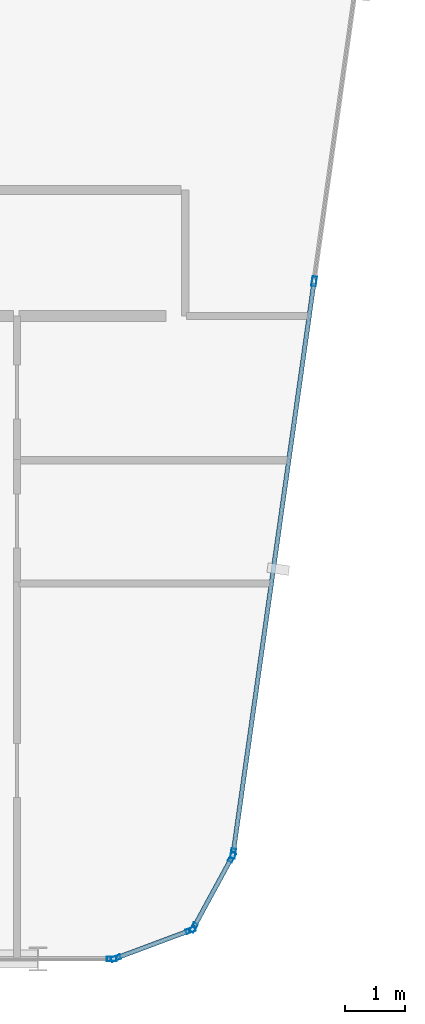
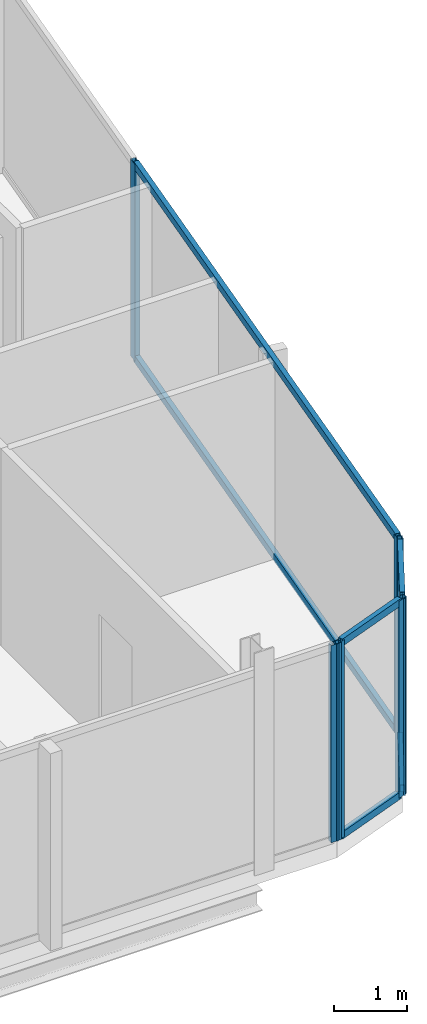
# One storey, part 12 of 27: 13 members, 4 elements without a shape of their own.
"""IFC4 building model written with IfcOpenShell, lengths in metres."""

from ifc_helpers import new_model, si_unit, direction, frame, origin, origin_2d, place, context, subcontext, project, spatial, hollow_rectangle, extrude, material, layer, layer_set, material_profile, profile_set, type_object, element, aggregate, save


model = new_model("IFC4")

# Units and contexts
model_context = context("Model", 3, precision=1e-05, world=origin(), true_north=direction((0.0, 1.0)))
body_context = subcontext(model_context, "Body", "Model", "MODEL_VIEW")
ifc_project = project(units=[si_unit("LENGTHUNIT", "METRE"), si_unit("AREAUNIT", "SQUARE_METRE"), si_unit("VOLUMEUNIT", "CUBIC_METRE"), si_unit("PLANEANGLEUNIT", "RADIAN"), si_unit("MASSUNIT", "GRAM", prefix="KILO")], contexts=[model_context])

# Site, building, storey
site_placement = place(None, origin())
site = spatial("IfcSite", under=ifc_project, at=site_placement, CompositionType="ELEMENT")
building_placement = place(site_placement, origin())
building = spatial("IfcBuilding", under=site, at=building_placement, Name="Keshet Zoharim Tower", CompositionType="ELEMENT")
storey_placement = place(building_placement, frame((0.0, 0.0, 311.0)))
storey = spatial("IfcBuildingStorey", under=building, at=storey_placement, Name="L78", CompositionType="ELEMENT", Elevation=311.0)

# Curtain wall, members
ifc_material = material(Name="Aluminium 6063-T6", Category="aluminium")
ifc_layer = layer(ifc_material, 0.260009765625)
ifc_layer_set = layer_set([ifc_layer], Name="Aluminium 6063-T6")
curtain_wall_type = type_object("IfcCurtainWallType", Name="CW-SYS-06", PredefinedType="NOTDEFINED", material=ifc_layer_set)
curtain_wall_1_placement = place(storey_placement, origin())
curtain_wall_1 = element("IfcCurtainWall", 1, at=curtain_wall_1_placement, inside=storey, type_object=curtain_wall_type, Name="L78 Unitised Curtain Wall 11", PredefinedType="NOTDEFINED")
ifc_material_profile_1 = material_profile(ifc_material, hollow_rectangle(XDim=0.074951171875, YDim=0.159912109375, WallThickness=0.00390625, at=origin_2d()), Name="MUL-75x160")
ifc_profile_set_1 = profile_set([ifc_material_profile_1], Name="Aluminium 6063-T6")
member_type_1 = type_object("IfcMemberType", Name="CWM-M15", PredefinedType="MULLION", material=ifc_profile_set_1)
member_1_placement = place(storey_placement, frame((43.595458984375, 17.97607421875, 0.0), z_axis=(0.0, 0.0, 1.0), x_axis=(0.990132057422, -0.140137464177, 0.0)))
member_1 = element("IfcMember", 2, at=member_1_placement, type_object=member_type_1, Name="CW-06 mullion 2", PredefinedType="MULLION", context=body_context, shape_type="SweptSolid", body=[
    extrude(hollow_rectangle(XDim=0.074951171875, YDim=0.159912109375, WallThickness=0.00390625, at=origin_2d()), origin(), (0.0, 0.0, 1.0), 3.280029296875),
])
member_2_placement = place(storey_placement, frame((42.247802734375, 8.45458984375, 0.0), z_axis=(0.0, 0.0, 1.0), x_axis=(0.990132057422, -0.140137464177, 0.0)))
member_2 = element("IfcMember", 3, at=member_2_placement, type_object=member_type_1, Name="CW-06 mullion 3", PredefinedType="MULLION", context=body_context, shape_type="SweptSolid", body=[
    extrude(hollow_rectangle(XDim=0.074951171875, YDim=0.159912109375, WallThickness=0.00390625, at=origin_2d()), origin(), (0.0, 0.0, 1.0), 3.280029296875),
])

curtain_wall_2_placement = place(storey_placement, origin())
curtain_wall_2 = element("IfcCurtainWall", 4, at=curtain_wall_2_placement, inside=storey, type_object=curtain_wall_type, Name="L78 Unitised Curtain Wall 12", PredefinedType="NOTDEFINED")
member_3_placement = place(storey_placement, frame((42.226318359375, 8.38916015625, 0.0), z_axis=(0.0, 0.0, 1.0), x_axis=(0.878468125004, -0.477800955789, 0.0)))
member_3 = element("IfcMember", 5, at=member_3_placement, type_object=member_type_1, Name="CW-06 mullion 1", PredefinedType="MULLION", context=body_context, shape_type="SweptSolid", body=[
    extrude(hollow_rectangle(XDim=0.074951171875, YDim=0.159912109375, WallThickness=0.00390625, at=origin_2d()), origin(), (0.0, 0.0, 1.0), 3.280029296875),
])
member_4_placement = place(storey_placement, frame((41.5908203125, 7.220703125, 0.0), z_axis=(0.0, 0.0, 1.0), x_axis=(0.878468125004, -0.477800955789, 0.0)))
member_4 = element("IfcMember", 6, at=member_4_placement, type_object=member_type_1, Name="CW-06 mullion 2", PredefinedType="MULLION", context=body_context, shape_type="SweptSolid", body=[
    extrude(hollow_rectangle(XDim=0.074951171875, YDim=0.159912109375, WallThickness=0.00390625, at=origin_2d()), origin(), (0.0, 0.0, 1.0), 3.280029296875),
])

curtain_wall_3_placement = place(storey_placement, origin())
curtain_wall_3 = element("IfcCurtainWall", 7, at=curtain_wall_3_placement, inside=storey, type_object=curtain_wall_type, Name="L78 Unitised Curtain Wall 13", PredefinedType="NOTDEFINED")
member_5_placement = place(storey_placement, frame((41.541259765625, 7.177734375, 0.0), z_axis=(0.0, 0.0, 1.0), x_axis=(0.350105315376, -0.936710343781, 0.0)))
member_5 = element("IfcMember", 8, at=member_5_placement, type_object=member_type_1, Name="CW-06 mullion 1", PredefinedType="MULLION", context=body_context, shape_type="SweptSolid", body=[
    extrude(hollow_rectangle(XDim=0.074951171875, YDim=0.159912109375, WallThickness=0.00390625, at=origin_2d()), origin(), (0.0, 0.0, 1.0), 3.280029296875),
])
member_6_placement = place(storey_placement, frame((40.2958984375, 6.712158203125, 0.0), z_axis=(0.0, 0.0, 1.0), x_axis=(0.350105315376, -0.936710343781, 0.0)))
member_6 = element("IfcMember", 9, at=member_6_placement, type_object=member_type_1, Name="CW-06 mullion 2", PredefinedType="MULLION", context=body_context, shape_type="SweptSolid", body=[
    extrude(hollow_rectangle(XDim=0.074951171875, YDim=0.159912109375, WallThickness=0.00390625, at=origin_2d()), origin(), (0.0, 0.0, 1.0), 3.280029296875),
])

# Curtain wall, member
curtain_wall_4_placement = place(storey_placement, origin())
curtain_wall_4 = element("IfcCurtainWall", 10, at=curtain_wall_4_placement, inside=storey, type_object=curtain_wall_type, Name="L78 Unitised Curtain Wall 14", PredefinedType="NOTDEFINED")
member_7_placement = place(storey_placement, frame((40.22802734375, 6.699951171875, 0.0), z_axis=(0.0, 0.0, 1.0), x_axis=(0.0, -1.0, 0.0)))
member_7 = element("IfcMember", 11, at=member_7_placement, type_object=member_type_1, Name="CW-06 mullion 1", PredefinedType="MULLION", context=body_context, shape_type="SweptSolid", body=[
    extrude(hollow_rectangle(XDim=0.074951171875, YDim=0.159912109375, WallThickness=0.00390625, at=origin_2d()), origin(), (0.0, 0.0, 1.0), 3.280029296875),
])
aggregate(curtain_wall_4, [member_7])

# Member
ifc_material_profile_2 = material_profile(ifc_material, hollow_rectangle(XDim=0.074951171875, YDim=0.1201171875, WallThickness=0.00390625, at=origin_2d()), Name="TRN-75x120")
ifc_profile_set_2 = profile_set([ifc_material_profile_2], Name="Aluminium 6063-T6")
member_type_2 = type_object("IfcMemberType", Name="CWT-T12", PredefinedType="USERDEFINED", material=ifc_profile_set_2)
member_8_placement = place(storey_placement, frame((43.590576171875, 17.94140625, 0.034912109375), z_axis=(-0.14012154881, -0.990134309859, 0.0), x_axis=(0.990134309859, -0.14012154881, 0.0)))
member_8 = element("IfcMember", 12, at=member_8_placement, type_object=member_type_2, Name="CW-06 transom 2.1", ObjectType="TRANSOM", PredefinedType="USERDEFINED", context=body_context, shape_type="SweptSolid", body=[
    extrude(hollow_rectangle(XDim=0.074951171875, YDim=0.1201171875, WallThickness=0.00390625, at=origin_2d()), origin(), (0.0, 0.0, 1.0), 9.54638671875),
])

member_9_placement = place(storey_placement, frame((43.590576171875, 17.94140625, 3.2451171875), z_axis=(-0.14012154881, -0.990134309859, 0.0), x_axis=(0.990134309859, -0.14012154881, 0.0)))
member_9 = element("IfcMember", 13, at=member_9_placement, type_object=member_type_2, Name="CW-06 transom 2.2", ObjectType="TRANSOM", PredefinedType="USERDEFINED", context=body_context, shape_type="SweptSolid", body=[
    extrude(hollow_rectangle(XDim=0.074951171875, YDim=0.1201171875, WallThickness=0.00390625, at=origin_2d()), origin(), (0.0, 0.0, 1.0), 9.54638671875),
])

aggregate(curtain_wall_1, [member_1, member_2, member_8, member_9])

member_10_placement = place(storey_placement, frame((42.20947265625, 8.3583984375, 0.034912109375), z_axis=(-0.47779293276, -0.878472488701, 0.0), x_axis=(0.878472488701, -0.47779293276, 0.0)))
member_10 = element("IfcMember", 14, at=member_10_placement, type_object=member_type_2, Name="CW-06 transom 1.1", ObjectType="TRANSOM", PredefinedType="USERDEFINED", context=body_context, shape_type="SweptSolid", body=[
    extrude(hollow_rectangle(XDim=0.074951171875, YDim=0.1201171875, WallThickness=0.00390625, at=origin_2d()), origin(), (0.0, 0.0, 1.0), 1.260009765625),
])

member_11_placement = place(storey_placement, frame((42.20947265625, 8.3583984375, 3.2451171875), z_axis=(-0.47779293276, -0.878472488701, 0.0), x_axis=(0.878472488701, -0.47779293276, 0.0)))
member_11 = element("IfcMember", 15, at=member_11_placement, type_object=member_type_2, Name="CW-06 transom 1.2", ObjectType="TRANSOM", PredefinedType="USERDEFINED", context=body_context, shape_type="SweptSolid", body=[
    extrude(hollow_rectangle(XDim=0.074951171875, YDim=0.1201171875, WallThickness=0.00390625, at=origin_2d()), origin(), (0.0, 0.0, 1.0), 1.260009765625),
])

aggregate(curtain_wall_2, [member_3, member_4, member_10, member_11])

member_12_placement = place(storey_placement, frame((41.508544921875, 7.16552734375, 0.034912109375), z_axis=(-0.93673477759, -0.350039935512, 0.0), x_axis=(0.350039935512, -0.93673477759, 0.0)))
member_12 = element("IfcMember", 16, at=member_12_placement, type_object=member_type_2, Name="CW-06 transom 1.1", ObjectType="TRANSOM", PredefinedType="USERDEFINED", context=body_context, shape_type="SweptSolid", body=[
    extrude(hollow_rectangle(XDim=0.074951171875, YDim=0.1201171875, WallThickness=0.00390625, at=origin_2d()), origin(), (0.0, 0.0, 1.0), 1.259521484375),
])

member_13_placement = place(storey_placement, frame((41.508544921875, 7.16552734375, 3.2451171875), z_axis=(-0.93673477759, -0.350039935512, 0.0), x_axis=(0.350039935512, -0.93673477759, 0.0)))
member_13 = element("IfcMember", 17, at=member_13_placement, type_object=member_type_2, Name="CW-06 transom 1.2", ObjectType="TRANSOM", PredefinedType="USERDEFINED", context=body_context, shape_type="SweptSolid", body=[
    extrude(hollow_rectangle(XDim=0.074951171875, YDim=0.1201171875, WallThickness=0.00390625, at=origin_2d()), origin(), (0.0, 0.0, 1.0), 1.259521484375),
])

aggregate(curtain_wall_3, [member_5, member_6, member_12, member_13])

save(model, "model.ifc")
